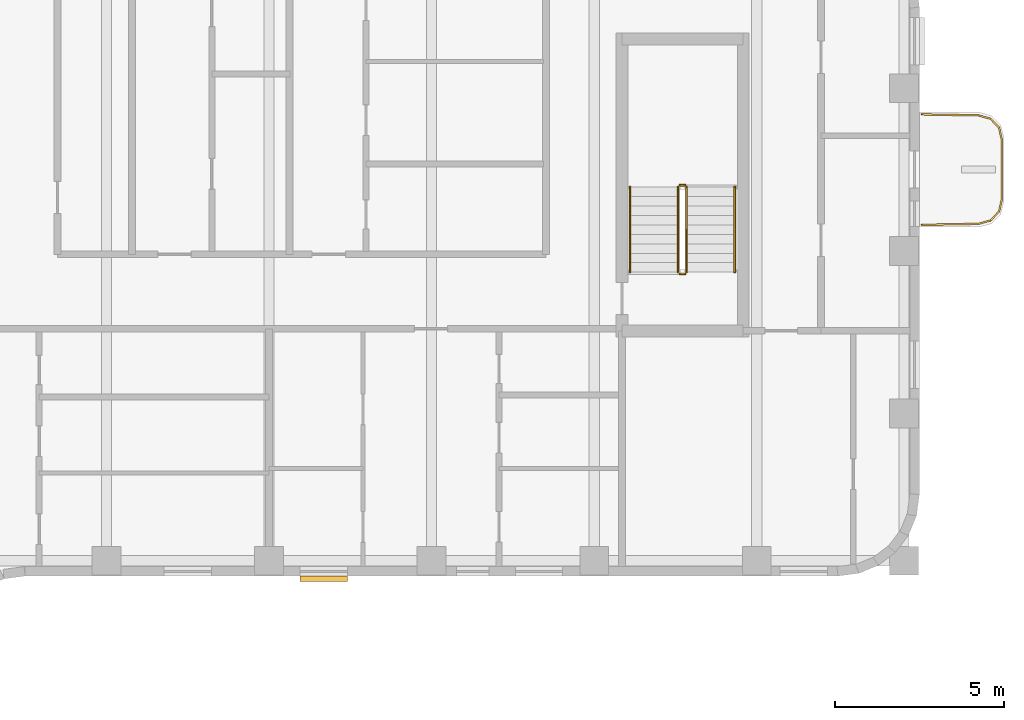
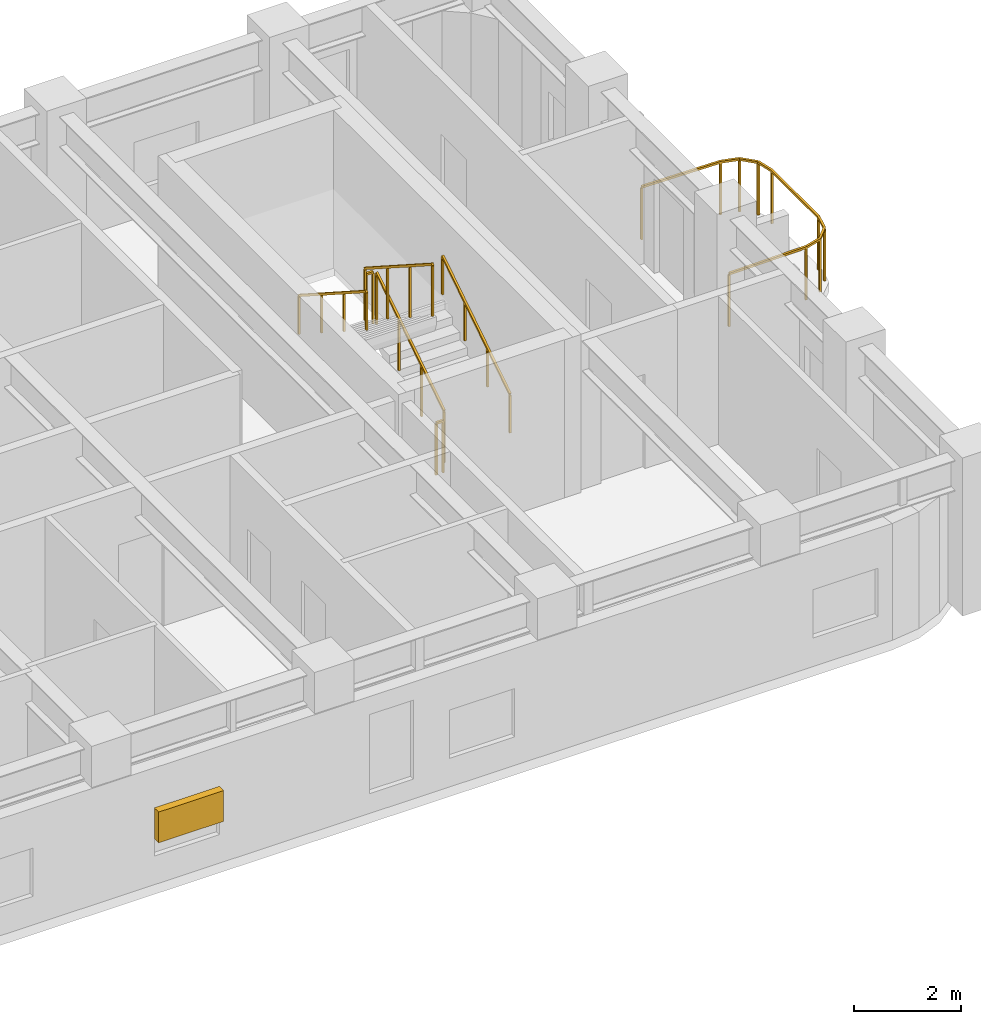
# One storey, part 9 of 10: 7 railings, 1 shading device.
"""IFC4 building model written with IfcOpenShell, lengths in metres."""

from ifc_helpers import new_model, si_unit, direction, frame, origin, origin_2d, place, context, subcontext, project, spatial, rectangle, extrude, material, type_object, element, save


model = new_model("IFC4")

# Units and contexts
model_context = context("Model", 3, precision=1e-05, world=origin(), true_north=direction((0.0, 1.0)))
body_context = subcontext(model_context, "Body", "Model", "MODEL_VIEW")
ifc_project = project(units=[si_unit("LENGTHUNIT", "METRE"), si_unit("AREAUNIT", "SQUARE_METRE"), si_unit("VOLUMEUNIT", "CUBIC_METRE"), si_unit("PLANEANGLEUNIT", "RADIAN"), si_unit("MASSUNIT", "GRAM", prefix="KILO")], contexts=[model_context])

# Site, building, storey
site_placement = place(None, origin())
site = spatial("IfcSite", under=ifc_project, at=site_placement, CompositionType="ELEMENT")
building_placement = place(site_placement, origin())
building = spatial("IfcBuilding", under=site, at=building_placement, Name="Orvandelia Arch Residences", CompositionType="ELEMENT")
storey_placement = place(building_placement, frame((0.0, 0.0, 221.800048828125)))
storey = spatial("IfcBuildingStorey", under=building, at=storey_placement, Name="L58", CompositionType="ELEMENT", Elevation=221.800048828125)

# Railings
ifc_material_1 = material(Name="Marine-Grade Stainless Steel 316", Category="steel")
railing_type_1 = type_object("IfcRailingType", Name="GRD-BAL-1200", PredefinedType="BALUSTRADE", material=ifc_material_1)
railing_1_placement = place(storey_placement, frame((52.871826171875, 39.169677734375, 0.0)))
element("IfcRailing", 1, at=railing_1_placement, inside=storey, type_object=railing_type_1, Name="Safety Balustrade Guard GRD-L58-BAL-L58-E1-1", PredefinedType="BALUSTRADE", context=body_context, shape_type="SweptSolid", body=[
    extrude(rectangle(XDim=0.048095703125, YDim=0.048095703125, at=origin_2d()), frame((0.0, 0.0, 1.19580078125), z_axis=(0.999837384468, 0.018033430643, 0.0), x_axis=(-0.018033430643, 0.999837384468, 0.0)), (0.0, 0.0, 1.0), 1.6787109375),
    extrude(rectangle(XDim=0.048095703125, YDim=0.048095703125, at=origin_2d()), frame((1.678466796875, 0.0302734375, 1.19580078125), z_axis=(0.96348920644, 0.267747173792, 0.0), x_axis=(-0.267747173792, 0.96348920644, 0.0)), (0.0, 0.0, 1.0), 0.36572265625),
    extrude(rectangle(XDim=0.048095703125, YDim=0.048095703125, at=origin_2d()), frame((2.03076171875, 0.128173828125, 1.19580078125), z_axis=(0.687947031175, 0.725760898848, 0.0), x_axis=(-0.725760898848, 0.687947031175, 0.0)), (0.0, 0.0, 1.0), 0.367919921875),
    extrude(rectangle(XDim=0.048095703125, YDim=0.048095703125, at=origin_2d()), frame((2.283935546875, 0.395263671875, 1.19580078125), z_axis=(0.221225034864, 0.975222786828, 0.0), x_axis=(-0.975222786828, 0.221225034864, 0.0)), (0.0, 0.0, 1.0), 0.373046875),
    extrude(rectangle(XDim=0.048095703125, YDim=0.048095703125, at=origin_2d()), frame((2.366455078125, 0.759033203125, 1.19580078125), z_axis=(0.0, 1.0, 0.0), x_axis=(-1.0, 0.0, 0.0)), (0.0, 0.0, 1.0), 1.74267578125),
    extrude(rectangle(XDim=0.048095703125, YDim=0.048095703125, at=origin_2d()), frame((2.366455078125, 2.501708984375, 1.19580078125), z_axis=(-0.221225034864, 0.975222786828, 0.0), x_axis=(-0.975222786828, -0.221225034864, 0.0)), (0.0, 0.0, 1.0), 0.373046875),
    extrude(rectangle(XDim=0.048095703125, YDim=0.048095703125, at=origin_2d()), frame((2.283935546875, 2.865478515625, 1.19580078125), z_axis=(-0.688278345278, 0.725446703364, 0.0), x_axis=(-0.725446703364, -0.688278345278, 0.0)), (0.0, 0.0, 1.0), 0.367919921875),
    extrude(rectangle(XDim=0.048095703125, YDim=0.048095703125, at=origin_2d()), frame((2.03076171875, 3.13232421875, 1.19580078125), z_axis=(-0.96348920644, 0.267747173792, 0.0), x_axis=(-0.267747173792, -0.96348920644, 0.0)), (0.0, 0.0, 1.0), 0.36572265625),
    extrude(rectangle(XDim=0.048095703125, YDim=0.048095703125, at=origin_2d()), frame((1.678466796875, 3.230224609375, 1.19580078125), z_axis=(-0.999834751713, 0.018178813668, 0.0), x_axis=(-0.018178813668, -0.999834751713, 0.0)), (0.0, 0.0, 1.0), 1.6787109375),
    extrude(rectangle(XDim=0.0419921875, YDim=0.0419921875, at=origin_2d()), origin(), (0.0, 0.0, 1.0), 1.171875),
    extrude(rectangle(XDim=0.0419921875, YDim=0.0419921875, at=origin_2d()), frame((1.678466796875, 0.0302734375, 0.0)), (0.0, 0.0, 1.0), 1.171875),
    extrude(rectangle(XDim=0.0419921875, YDim=0.0419921875, at=origin_2d()), frame((2.03076171875, 0.128173828125, 0.0)), (0.0, 0.0, 1.0), 1.171875),
    extrude(rectangle(XDim=0.0419921875, YDim=0.0419921875, at=origin_2d()), frame((2.283935546875, 0.395263671875, 0.0)), (0.0, 0.0, 1.0), 1.171875),
    extrude(rectangle(XDim=0.0419921875, YDim=0.0419921875, at=origin_2d()), frame((2.366455078125, 0.759033203125, 0.0)), (0.0, 0.0, 1.0), 1.171875),
    extrude(rectangle(XDim=0.0419921875, YDim=0.0419921875, at=origin_2d()), frame((2.366455078125, 2.501708984375, 0.0)), (0.0, 0.0, 1.0), 1.171875),
    extrude(rectangle(XDim=0.0419921875, YDim=0.0419921875, at=origin_2d()), frame((2.283935546875, 2.865478515625, 0.0)), (0.0, 0.0, 1.0), 1.171875),
    extrude(rectangle(XDim=0.0419921875, YDim=0.0419921875, at=origin_2d()), frame((2.03076171875, 3.13232421875, 0.0)), (0.0, 0.0, 1.0), 1.171875),
    extrude(rectangle(XDim=0.0419921875, YDim=0.0419921875, at=origin_2d()), frame((1.678466796875, 3.230224609375, 0.0)), (0.0, 0.0, 1.0), 1.171875),
    extrude(rectangle(XDim=0.0419921875, YDim=0.0419921875, at=origin_2d()), frame((0.0, 3.2607421875, 0.0)), (0.0, 0.0, 1.0), 1.171875),
])
ifc_material_2 = material(Name="Brushed Stainless Steel 304", Category="steel")
railing_type_2 = type_object("IfcRailingType", Name="RL-STAIR-GD1120", PredefinedType="GUARDRAIL", material=ifc_material_2)
railing_2_placement = place(storey_placement, frame((45.929931640625, 37.77001953125, 0.179931640625)))
element("IfcRailing", 2, at=railing_2_placement, inside=storey, type_object=railing_type_2, Name="L58 ST-3 stair guard 1", PredefinedType="GUARDRAIL", context=body_context, shape_type="SweptSolid", body=[
    extrude(rectangle(XDim=0.048095703125, YDim=0.048095703125, at=origin_2d()), frame((0.0, 0.0, 1.17578125), z_axis=(0.0, 0.841162588446, 0.540782303519), x_axis=(-1.0, 0.0, 0.0)), (0.0, 0.0, 1.0), 2.995849609375),
    extrude(rectangle(XDim=0.0419921875, YDim=0.0419921875, at=origin_2d()), origin(), (0.0, 0.0, 1.0), 1.15185546875),
    extrude(rectangle(XDim=0.0419921875, YDim=0.0419921875, at=origin_2d()), frame((0.0, 0.840087890625, 0.5400390625)), (0.0, 0.0, 1.0), 1.15185546875),
    extrude(rectangle(XDim=0.0419921875, YDim=0.0419921875, at=origin_2d()), frame((0.0, 1.679931640625, 1.080078125)), (0.0, 0.0, 1.0), 1.15185546875),
    extrude(rectangle(XDim=0.0419921875, YDim=0.0419921875, at=origin_2d()), frame((0.0, 2.52001953125, 1.6201171875)), (0.0, 0.0, 1.0), 1.15185546875),
])
railing_3_placement = place(storey_placement, frame((45.8798828125, 40.340087890625, 1.800048828125)))
element("IfcRailing", 3, at=railing_3_placement, inside=storey, type_object=railing_type_2, Name="L58 ST-3 stair guard 2", PredefinedType="GUARDRAIL", context=body_context, shape_type="SweptSolid", body=[
    extrude(rectangle(XDim=0.048095703125, YDim=0.048095703125, at=origin_2d()), frame((0.0, 0.0, 1.17578125), z_axis=(-1.0, 0.0, 0.0), x_axis=(0.0, -1.0, 0.0)), (0.0, 0.0, 1.0), 0.14990234375),
    extrude(rectangle(XDim=0.0419921875, YDim=0.0419921875, at=origin_2d()), origin(), (0.0, 0.0, 1.0), 1.15185546875),
    extrude(rectangle(XDim=0.0419921875, YDim=0.0419921875, at=origin_2d()), frame((-0.14990234375, 0.0, 0.0)), (0.0, 0.0, 1.0), 1.15185546875),
])
railing_4_placement = place(storey_placement, frame((45.679931640625, 40.2900390625, 1.97998046875)))
element("IfcRailing", 4, at=railing_4_placement, inside=storey, type_object=railing_type_2, Name="L58 ST-3 stair guard 3", PredefinedType="GUARDRAIL", context=body_context, shape_type="SweptSolid", body=[
    extrude(rectangle(XDim=0.048095703125, YDim=0.048095703125, at=origin_2d()), frame((0.0, 0.0, 1.17578125), z_axis=(0.0, -0.841199657755, 0.540724639528), x_axis=(1.0, 0.0, 0.0)), (0.0, 0.0, 1.0), 2.995849609375),
    extrude(rectangle(XDim=0.0419921875, YDim=0.0419921875, at=origin_2d()), origin(), (0.0, 0.0, 1.0), 1.15185546875),
    extrude(rectangle(XDim=0.0419921875, YDim=0.0419921875, at=origin_2d()), frame((0.0, -0.840087890625, 0.5400390625)), (0.0, 0.0, 1.0), 1.15185546875),
    extrude(rectangle(XDim=0.0419921875, YDim=0.0419921875, at=origin_2d()), frame((0.0, -1.679931640625, 1.079833984375)), (0.0, 0.0, 1.0), 1.15185546875),
    extrude(rectangle(XDim=0.0419921875, YDim=0.0419921875, at=origin_2d()), frame((0.0, -2.52001953125, 1.619873046875)), (0.0, 0.0, 1.0), 1.15185546875),
])
railing_5_placement = place(storey_placement, frame((45.8798828125, 37.719970703125, 0.0)))
element("IfcRailing", 5, at=railing_5_placement, inside=storey, type_object=railing_type_2, Name="L58 ST-3 stair guard 4", PredefinedType="GUARDRAIL", context=body_context, shape_type="SweptSolid", body=[
    extrude(rectangle(XDim=0.048095703125, YDim=0.048095703125, at=origin_2d()), frame((0.0, 0.0, 1.17578125), z_axis=(-1.0, 0.0, 0.0), x_axis=(0.0, -1.0, 0.0)), (0.0, 0.0, 1.0), 0.14990234375),
    extrude(rectangle(XDim=0.0419921875, YDim=0.0419921875, at=origin_2d()), origin(), (0.0, 0.0, 1.0), 1.15185546875),
    extrude(rectangle(XDim=0.0419921875, YDim=0.0419921875, at=origin_2d()), frame((-0.14990234375, 0.0, 0.0)), (0.0, 0.0, 1.0), 1.15185546875),
])
railing_type_3 = type_object("IfcRailingType", Name="RL-STAIR-HR920", PredefinedType="HANDRAIL", material=ifc_material_2)
railing_6_placement = place(storey_placement, frame((47.35009765625, 37.77001953125, 0.35986328125)))
element("IfcRailing", 6, at=railing_6_placement, inside=storey, type_object=railing_type_3, Name="L58 ST-3 stair handrail 1", PredefinedType="HANDRAIL", context=body_context, shape_type="SweptSolid", body=[
    extrude(rectangle(XDim=0.048095703125, YDim=0.048095703125, at=origin_2d()), frame((0.0, 0.0, 0.8759765625), z_axis=(0.0, 0.841162588446, 0.540782303519), x_axis=(-1.0, 0.0, 0.0)), (0.0, 0.0, 1.0), 2.995849609375),
    extrude(rectangle(XDim=0.0419921875, YDim=0.0419921875, at=origin_2d()), origin(), (0.0, 0.0, 1.0), 0.851806640625),
    extrude(rectangle(XDim=0.0419921875, YDim=0.0419921875, at=origin_2d()), frame((0.0, 0.840087890625, 0.5400390625)), (0.0, 0.0, 1.0), 0.851806640625),
    extrude(rectangle(XDim=0.0419921875, YDim=0.0419921875, at=origin_2d()), frame((0.0, 1.679931640625, 1.080078125)), (0.0, 0.0, 1.0), 0.851806640625),
    extrude(rectangle(XDim=0.0419921875, YDim=0.0419921875, at=origin_2d()), frame((0.0, 2.52001953125, 1.6201171875)), (0.0, 0.0, 1.0), 0.851806640625),
])
railing_7_placement = place(storey_placement, frame((44.260009765625, 40.2900390625, 2.159912109375)))
element("IfcRailing", 7, at=railing_7_placement, inside=storey, type_object=railing_type_3, Name="L58 ST-3 stair handrail 2", PredefinedType="HANDRAIL", context=body_context, shape_type="SweptSolid", body=[
    extrude(rectangle(XDim=0.048095703125, YDim=0.048095703125, at=origin_2d()), frame((0.0, 0.0, 0.8759765625), z_axis=(0.0, -0.841162588446, 0.540782303519), x_axis=(1.0, 0.0, 0.0)), (0.0, 0.0, 1.0), 2.995849609375),
    extrude(rectangle(XDim=0.0419921875, YDim=0.0419921875, at=origin_2d()), origin(), (0.0, 0.0, 1.0), 0.851806640625),
    extrude(rectangle(XDim=0.0419921875, YDim=0.0419921875, at=origin_2d()), frame((0.0, -0.840087890625, 0.5400390625)), (0.0, 0.0, 1.0), 0.851806640625),
    extrude(rectangle(XDim=0.0419921875, YDim=0.0419921875, at=origin_2d()), frame((0.0, -1.679931640625, 1.080078125)), (0.0, 0.0, 1.0), 0.851806640625),
    extrude(rectangle(XDim=0.0419921875, YDim=0.0419921875, at=origin_2d()), frame((0.0, -2.52001953125, 1.6201171875)), (0.0, 0.0, 1.0), 0.851806640625),
])

# Shading device
ifc_material_3 = material(Name="Anodised Champagne-Bronze Extruded Aluminium", Category="aluminium")
shading_device_type = type_object("IfcShadingDeviceType", Name="SHD-JALOUSIE-SCREEN", PredefinedType="JALOUSIE", material=ifc_material_3)
shading_device_placement = place(storey_placement, frame((35.2099609375, 28.719970703125, 1.0498046875), z_axis=(0.0, 0.0, 1.0), x_axis=(-1.0, 0.0, 0.0)))
element("IfcShadingDevice", 8, at=shading_device_placement, inside=storey, type_object=shading_device_type, Name="Bronze Jalousie Sun-Shade L58-005", PredefinedType="JALOUSIE", context=body_context, shape_type="SweptSolid", body=[
    extrude(rectangle(XDim=1.39990234375, YDim=0.159912109375, at=origin_2d()), origin(), (0.0, 0.0, 1.0), 0.699951171875),
])

save(model, "model.ifc")
